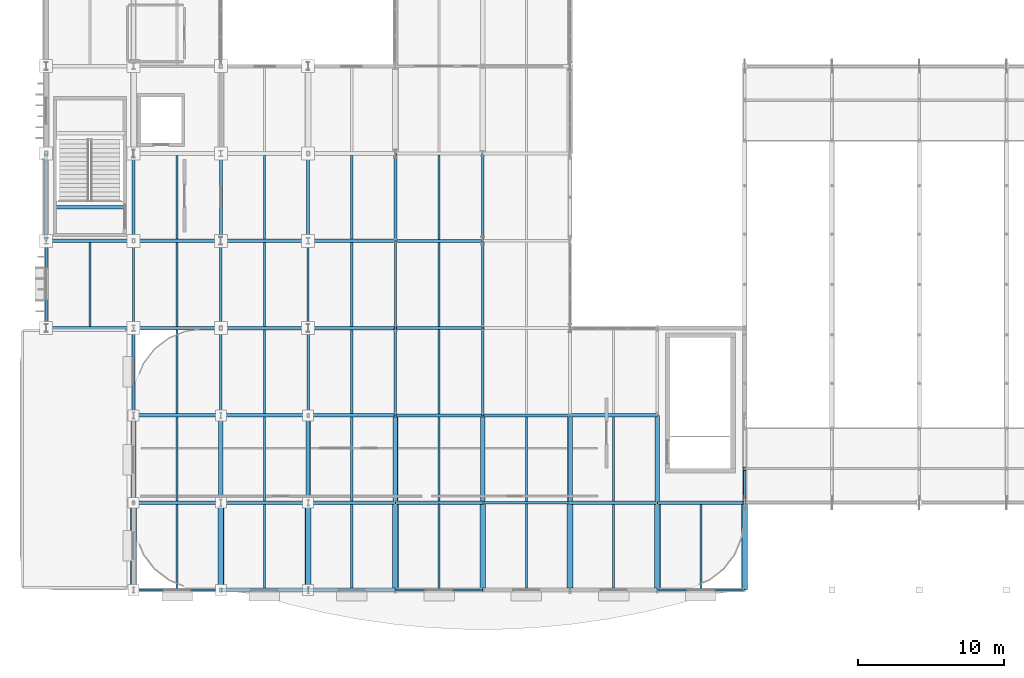
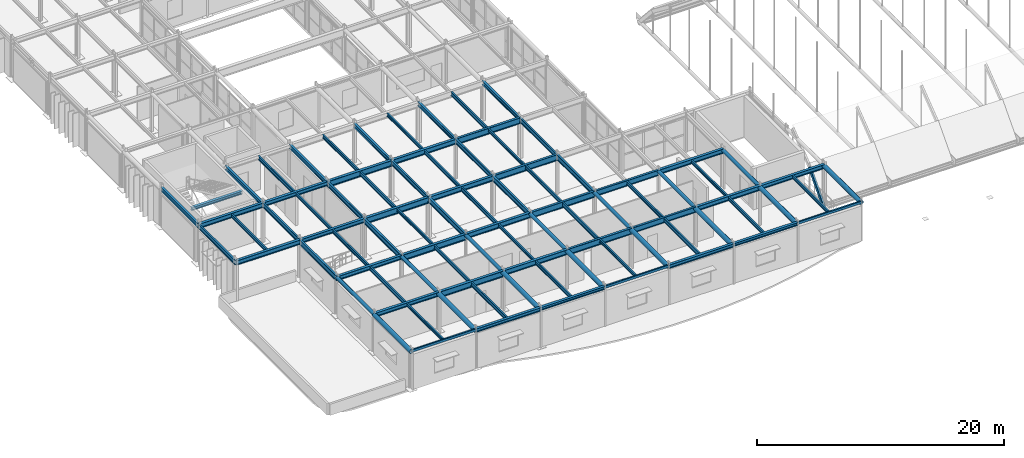
# One storey, part 26 of 116: 90 beams.
"""IFC4 building model written with IfcOpenShell, lengths in metres."""

from ifc_helpers import new_model, si_unit, direction, frame, origin, origin_2d, place, context, subcontext, project, spatial, hollow_rectangle, hollow_circle, i_section, extrude, material, material_profile, profile_set, type_object, element, save


model = new_model("IFC4")

# Units and contexts
model_context = context("Model", 3, precision=1e-05, world=origin(), true_north=direction((0.0, 1.0)))
body_context = subcontext(model_context, "Body", "Model", "MODEL_VIEW")
ifc_project = project(units=[si_unit("LENGTHUNIT", "METRE"), si_unit("AREAUNIT", "SQUARE_METRE"), si_unit("VOLUMEUNIT", "CUBIC_METRE"), si_unit("PLANEANGLEUNIT", "RADIAN"), si_unit("MASSUNIT", "GRAM", prefix="KILO")], contexts=[model_context])

# Site, building, storey
site_placement = place(None, origin())
site = spatial("IfcSite", under=ifc_project, at=site_placement, CompositionType="ELEMENT")
building_placement = place(site_placement, origin())
building = spatial("IfcBuilding", under=site, at=building_placement, Name="Varnakota Square Police Headquarters", CompositionType="ELEMENT")
storey_placement = place(building_placement, frame((0.0, 0.0, 9.300048828125)))
storey = spatial("IfcBuildingStorey", under=building, at=storey_placement, Name="L02", CompositionType="ELEMENT", Elevation=9.300048828125)

# Beams
ifc_material = material(Name="Steel IS 2062 Grade 350", Category="steel")
ifc_material_profile_1 = material_profile(ifc_material, hollow_circle(Radius=0.161865234375, WallThickness=0.0126953125, at=origin_2d()), Name="CHS 323.9x12.7")
ifc_profile_set_1 = profile_set([ifc_material_profile_1], Name="Steel IS 2062 Grade 350")
beam_type_1 = type_object("IfcBeamType", Name="BM-ARC-CHS324", PredefinedType="BEAM", material=ifc_profile_set_1)
for number, where, z_axis, x_axis, name in (
    (1, (12.0, 9.0, 3.738037109375), (0.0, 1.0, 0.0), (-1.0, 0.0, 0.0), "BMG-L02-2119"),
    (2, (18.0, 9.0, 3.738037109375), (0.0, 1.0, 0.0), (-1.0, 0.0, 0.0), "BMG-L02-2133"),
    (3, (24.0, 9.0, 3.738037109375), (0.0, 1.0, 0.0), (-1.0, 0.0, 0.0), "BMG-L02-2147"),
    (4, (30.0, 9.0, 3.738037109375), (0.0, 1.0, 0.0), (-1.0, 0.0, 0.0), "BMG-L02-2155"),
    (5, (36.0, 9.0, 3.738037109375), (0.0, 1.0, 0.0), (-1.0, 0.0, 0.0), "BMG-L02-2169"),
    (6, (42.0, 9.0, 3.738037109375), (0.0, 1.0, 0.0), (-1.0, 0.0, 0.0), "BMG-L02-2181"),
    (7, (48.0, 9.0, 3.738037109375), (0.0, 1.0, 0.0), (-1.0, 0.0, 0.0), "BMG-L02-2195"),
):
    element("IfcBeam", number, at=place(storey_placement, frame(where, z_axis=z_axis, x_axis=x_axis)), inside=storey, type_object=beam_type_1, Name=name, PredefinedType="BEAM", context=body_context, shape_type="SweptSolid", body=[
        extrude(hollow_circle(Radius=0.161865234375, WallThickness=0.0126953125, at=origin_2d()), origin(), (0.0, 0.0, 1.0), 6.0),
    ])
ifc_material_profile_2 = material_profile(ifc_material, hollow_circle(Radius=0.203125, WallThickness=0.01611328125, at=origin_2d()), Name="CHS 406.4x16.0")
ifc_profile_set_2 = profile_set([ifc_material_profile_2], Name="Steel IS 2062 Grade 350")
beam_type_2 = type_object("IfcBeamType", Name="BM-ARC-CHS406", PredefinedType="BEAM", material=ifc_profile_set_2)
for number, where, z_axis, x_axis, name in (
    (8, (12.0, 3.0, 3.69677734375), (0.0, 1.0, 0.0), (-1.0, 0.0, 0.0), "BMG-L02-2118"),
    (9, (18.0, 3.0, 3.69677734375), (0.0, 1.0, 0.0), (-1.0, 0.0, 0.0), "BMG-L02-2132"),
    (10, (24.0, 3.0, 3.69677734375), (0.0, 1.0, 0.0), (-1.0, 0.0, 0.0), "BMG-L02-2146"),
    (11, (30.0, 3.0, 3.69677734375), (0.0, 1.0, 0.0), (-1.0, 0.0, 0.0), "BMG-L02-2154"),
    (12, (36.0, 3.0, 3.69677734375), (0.0, 1.0, 0.0), (-1.0, 0.0, 0.0), "BMG-L02-2168"),
    (13, (42.0, 3.0, 3.69677734375), (0.0, 1.0, 0.0), (-1.0, 0.0, 0.0), "BMG-L02-2180"),
    (14, (48.0, 3.0, 3.69677734375), (0.0, 1.0, 0.0), (-1.0, 0.0, 0.0), "BMG-L02-2194"),
    (15, (54.0, 3.0, 3.69677734375), (0.0, 1.0, 0.0), (-1.0, 0.0, 0.0), "BMG-L02-2200"),
):
    element("IfcBeam", number, at=place(storey_placement, frame(where, z_axis=z_axis, x_axis=x_axis)), inside=storey, type_object=beam_type_2, Name=name, PredefinedType="BEAM", context=body_context, shape_type="SweptSolid", body=[
        extrude(hollow_circle(Radius=0.203125, WallThickness=0.01611328125, at=origin_2d()), origin(), (0.0, 0.0, 1.0), 6.0),
    ])
ifc_material_profile_3 = material_profile(ifc_material, hollow_rectangle(XDim=0.14990234375, YDim=0.25, WallThickness=0.010009765625, InnerFilletRadius=0.010009765625, OuterFilletRadius=0.02001953125, at=origin_2d()), Name="RHS 250x150x10")
ifc_profile_set_3 = profile_set([ifc_material_profile_3], Name="Steel IS 2062 Grade 350")
beam_type_3 = type_object("IfcBeamType", Name="BM-CBEAM-RHS250", PredefinedType="BEAM", material=ifc_profile_set_3)
for number, where, z_axis, x_axis, name in (
    (16, (12.0, 3.0, 3.77490234375), (1.0, 0.0, 0.0), (0.0, 1.0, 0.0), "BMG-L02-1903"),
    (17, (30.0, 3.0, 3.77490234375), (1.0, 0.0, 0.0), (0.0, 1.0, 0.0), "BMG-L02-1906"),
    (18, (48.0, 3.0, 3.77490234375), (1.0, 0.0, 0.0), (0.0, 1.0, 0.0), "BMG-L02-1909"),
):
    element("IfcBeam", number, at=place(storey_placement, frame(where, z_axis=z_axis, x_axis=x_axis)), inside=storey, type_object=beam_type_3, Name=name, PredefinedType="BEAM", context=body_context, shape_type="SweptSolid", body=[
        extrude(hollow_rectangle(XDim=0.14990234375, YDim=0.25, WallThickness=0.010009765625, InnerFilletRadius=0.010009765625, OuterFilletRadius=0.02001953125, at=origin_2d()), origin(), (0.0, 0.0, 1.0), 6.0),
    ])
ifc_material_profile_4 = material_profile(ifc_material, i_section(OverallWidth=0.25, OverallDepth=0.300048828125, WebThickness=0.009521484375, FlangeThickness=0.010498046875, FilletRadius=0.011962890625, at=origin_2d()), Name="ISHB 300")
ifc_profile_set_4 = profile_set([ifc_material_profile_4], Name="Steel IS 2062 Grade 350")
beam_type_4 = type_object("IfcBeamType", Name="BM-ISHB300", PredefinedType="BEAM", material=ifc_profile_set_4)
for number, where, z_axis, x_axis, name in (
    (19, (24.0, 3.0, 3.75), (1.0, 0.0, 0.0), (0.0, 1.0, 0.0), "BMG-L02-1905"),
    (20, (42.0, 3.0, 3.75), (1.0, 0.0, 0.0), (0.0, 1.0, 0.0), "BMG-L02-1908"),
):
    element("IfcBeam", number, at=place(storey_placement, frame(where, z_axis=z_axis, x_axis=x_axis)), inside=storey, type_object=beam_type_4, Name=name, PredefinedType="BEAM", context=body_context, shape_type="SweptSolid", body=[
        extrude(i_section(OverallWidth=0.25, OverallDepth=0.300048828125, WebThickness=0.009521484375, FlangeThickness=0.010498046875, FilletRadius=0.011962890625, at=origin_2d()), origin(), (0.0, 0.0, 1.0), 6.0),
    ])
beam_1_placement = place(storey_placement, frame((6.60009765625, 29.300048828125, 3.75), z_axis=(1.0, 0.0, 0.0), x_axis=(0.0, 1.0, 0.0)))
element("IfcBeam", 21, at=beam_1_placement, inside=storey, type_object=beam_type_4, Name="Stair landing support beam BM-LND-0052", PredefinedType="BEAM", context=body_context, shape_type="SweptSolid", body=[
    extrude(i_section(OverallWidth=0.25, OverallDepth=0.300048828125, WebThickness=0.009521484375, FlangeThickness=0.010498046875, FilletRadius=0.011962890625, at=origin_2d()), origin(), (0.0, 0.0, 1.0), 4.7998046875),
])
ifc_material_profile_5 = material_profile(ifc_material, i_section(OverallWidth=0.25, OverallDepth=0.35009765625, WebThickness=0.010009765625, FlangeThickness=0.01171875, FilletRadius=0.011962890625, at=origin_2d()), Name="ISHB 350")
ifc_profile_set_5 = profile_set([ifc_material_profile_5], Name="Steel IS 2062 Grade 350")
beam_type_5 = type_object("IfcBeamType", Name="BM-ISHB350", PredefinedType="BEAM", material=ifc_profile_set_5)
for number, where, z_axis, x_axis, name in (
    (22, (18.0, 3.0, 3.724853515625), (1.0, 0.0, 0.0), (0.0, 1.0, 0.0), "BMG-L02-1904"),
    (23, (36.0, 3.0, 3.724853515625), (1.0, 0.0, 0.0), (0.0, 1.0, 0.0), "BMG-L02-1907"),
):
    element("IfcBeam", number, at=place(storey_placement, frame(where, z_axis=z_axis, x_axis=x_axis)), inside=storey, type_object=beam_type_5, Name=name, PredefinedType="BEAM", context=body_context, shape_type="SweptSolid", body=[
        extrude(i_section(OverallWidth=0.25, OverallDepth=0.35009765625, WebThickness=0.010009765625, FlangeThickness=0.01171875, FilletRadius=0.011962890625, at=origin_2d()), origin(), (0.0, 0.0, 1.0), 6.0),
    ])
ifc_material_profile_6 = material_profile(ifc_material, i_section(OverallWidth=0.25, OverallDepth=0.39990234375, WebThickness=0.010498046875, FlangeThickness=0.0126953125, FilletRadius=0.013916015625, at=origin_2d()), Name="ISHB 400")
ifc_profile_set_6 = profile_set([ifc_material_profile_6], Name="Steel IS 2062 Grade 350")
beam_type_6 = type_object("IfcBeamType", Name="BM-ISHB400", PredefinedType="BEAM", material=ifc_profile_set_6)
for number, where, z_axis, x_axis, name in (
    (24, (12.0, 9.0, 3.699951171875), (1.0, 0.0, 0.0), (0.0, 1.0, 0.0), "BMG-L02-1910"),
    (25, (48.0, 9.0, 3.699951171875), (1.0, 0.0, 0.0), (0.0, 1.0, 0.0), "BMG-L02-1916"),
    (26, (12.0, 15.0, 3.699951171875), (1.0, 0.0, 0.0), (0.0, 1.0, 0.0), "BMG-L02-1925"),
    (27, (12.0, 21.0, 3.699951171875), (1.0, 0.0, 0.0), (0.0, 1.0, 0.0), "BMG-L02-1942"),
    (28, (12.0, 27.0, 3.699951171875), (1.0, 0.0, 0.0), (0.0, 1.0, 0.0), "BMG-L02-1954"),
):
    element("IfcBeam", number, at=place(storey_placement, frame(where, z_axis=z_axis, x_axis=x_axis)), inside=storey, type_object=beam_type_6, Name=name, PredefinedType="BEAM", context=body_context, shape_type="SweptSolid", body=[
        extrude(i_section(OverallWidth=0.25, OverallDepth=0.39990234375, WebThickness=0.010498046875, FlangeThickness=0.0126953125, FilletRadius=0.013916015625, at=origin_2d()), origin(), (0.0, 0.0, 1.0), 6.0),
    ])
ifc_material_profile_7 = material_profile(ifc_material, i_section(OverallWidth=0.25, OverallDepth=0.449951171875, WebThickness=0.01123046875, FlangeThickness=0.013671875, FilletRadius=0.014892578125, at=origin_2d()), Name="ISHB 450")
ifc_profile_set_7 = profile_set([ifc_material_profile_7], Name="Steel IS 2062 Grade 350")
beam_type_7 = type_object("IfcBeamType", Name="BM-ISHB450", PredefinedType="BEAM", material=ifc_profile_set_7)
for number, where, z_axis, x_axis, name in (
    (29, (42.0, 9.0, 3.675048828125), (1.0, 0.0, 0.0), (0.0, 1.0, 0.0), "BMG-L02-1915"),
    (30, (42.0, 15.0, 3.675048828125), (1.0, 0.0, 0.0), (0.0, 1.0, 0.0), "BMG-L02-1930"),
    (31, (6.0, 21.0, 3.675048828125), (1.0, 0.0, 0.0), (0.0, 1.0, 0.0), "BMG-L02-1941"),
    (32, (6.0, 27.0, 3.675048828125), (1.0, 0.0, 0.0), (0.0, 1.0, 0.0), "BMG-L02-1953"),
):
    element("IfcBeam", number, at=place(storey_placement, frame(where, z_axis=z_axis, x_axis=x_axis)), inside=storey, type_object=beam_type_7, Name=name, PredefinedType="BEAM", context=body_context, shape_type="SweptSolid", body=[
        extrude(i_section(OverallWidth=0.25, OverallDepth=0.449951171875, WebThickness=0.01123046875, FlangeThickness=0.013671875, FilletRadius=0.014892578125, at=origin_2d()), origin(), (0.0, 0.0, 1.0), 6.0),
    ])
ifc_material_profile_8 = material_profile(ifc_material, i_section(OverallWidth=0.139892578125, OverallDepth=0.300048828125, WebThickness=0.0078125, FlangeThickness=0.01318359375, FilletRadius=0.013916015625, at=origin_2d()), Name="ISMB 300")
ifc_profile_set_8 = profile_set([ifc_material_profile_8], Name="Steel IS 2062 Grade 350")
beam_type_8 = type_object("IfcBeamType", Name="BM-ISMB300", PredefinedType="JOIST", material=ifc_profile_set_8)
beam_2_placement = place(storey_placement, frame((15.0, 3.072998046875, 3.75), z_axis=(0.0, 1.0, 0.0), x_axis=(-1.0, 0.0, 0.0)))
element("IfcBeam", 33, at=beam_2_placement, inside=storey, type_object=beam_type_8, Name="BMG-L02-2319", PredefinedType="JOIST", context=body_context, shape_type="SweptSolid", body=[
    extrude(i_section(OverallWidth=0.139892578125, OverallDepth=0.300048828125, WebThickness=0.0078125, FlangeThickness=0.01318359375, FilletRadius=0.013916015625, at=origin_2d()), origin(), (0.0, 0.0, 1.0), 5.803955078125),
])
for number, where, z_axis, x_axis, name in (
    (34, (15.0, 21.123046875, 3.75), (0.0, 1.0, 0.0), (-1.0, 0.0, 0.0), "BMG-L02-2322"),
    (35, (21.0, 15.123046875, 3.75), (0.0, 1.0, 0.0), (-1.0, 0.0, 0.0), "BMG-L02-2332"),
    (36, (27.0, 9.123046875, 3.75), (0.0, 1.0, 0.0), (-1.0, 0.0, 0.0), "BMG-L02-2338"),
    (37, (27.0, 27.123046875, 3.75), (0.0, 1.0, 0.0), (-1.0, 0.0, 0.0), "BMG-L02-2341"),
):
    element("IfcBeam", number, at=place(storey_placement, frame(where, z_axis=z_axis, x_axis=x_axis)), inside=storey, type_object=beam_type_8, Name=name, PredefinedType="JOIST", context=body_context, shape_type="SweptSolid", body=[
        extrude(i_section(OverallWidth=0.139892578125, OverallDepth=0.300048828125, WebThickness=0.0078125, FlangeThickness=0.01318359375, FilletRadius=0.013916015625, at=origin_2d()), origin(), (0.0, 0.0, 1.0), 5.75390625),
    ])
beam_3_placement = place(storey_placement, frame((33.0, 3.072998046875, 3.75), z_axis=(0.0, 1.0, 0.0), x_axis=(-1.0, 0.0, 0.0)))
element("IfcBeam", 38, at=beam_3_placement, inside=storey, type_object=beam_type_8, Name="BMG-L02-2345", PredefinedType="JOIST", context=body_context, shape_type="SweptSolid", body=[
    extrude(i_section(OverallWidth=0.139892578125, OverallDepth=0.300048828125, WebThickness=0.0078125, FlangeThickness=0.01318359375, FilletRadius=0.013916015625, at=origin_2d()), origin(), (0.0, 0.0, 1.0), 5.823974609375),
])
beam_4_placement = place(storey_placement, frame((33.0, 21.10302734375, 3.75), z_axis=(0.0, 1.0, 0.0), x_axis=(-1.0, 0.0, 0.0)))
element("IfcBeam", 39, at=beam_4_placement, inside=storey, type_object=beam_type_8, Name="BMG-L02-2348", PredefinedType="JOIST", context=body_context, shape_type="SweptSolid", body=[
    extrude(i_section(OverallWidth=0.139892578125, OverallDepth=0.300048828125, WebThickness=0.0078125, FlangeThickness=0.01318359375, FilletRadius=0.013916015625, at=origin_2d()), origin(), (0.0, 0.0, 1.0), 5.7939453125),
])
beam_5_placement = place(storey_placement, frame((45.0, 9.123046875, 3.75), z_axis=(0.0, 1.0, 0.0), x_axis=(-1.0, 0.0, 0.0)))
element("IfcBeam", 40, at=beam_5_placement, inside=storey, type_object=beam_type_8, Name="BMG-L02-2369", PredefinedType="JOIST", context=body_context, shape_type="SweptSolid", body=[
    extrude(i_section(OverallWidth=0.139892578125, OverallDepth=0.300048828125, WebThickness=0.0078125, FlangeThickness=0.01318359375, FilletRadius=0.013916015625, at=origin_2d()), origin(), (0.0, 0.0, 1.0), 5.75390625),
])
beam_6_placement = place(storey_placement, frame((51.0, 3.072998046875, 3.75), z_axis=(0.0, 1.0, 0.0), x_axis=(-1.0, 0.0, 0.0)))
element("IfcBeam", 41, at=beam_6_placement, inside=storey, type_object=beam_type_8, Name="BMG-L02-2372", PredefinedType="JOIST", context=body_context, shape_type="SweptSolid", body=[
    extrude(i_section(OverallWidth=0.139892578125, OverallDepth=0.300048828125, WebThickness=0.0078125, FlangeThickness=0.01318359375, FilletRadius=0.013916015625, at=origin_2d()), origin(), (0.0, 0.0, 1.0), 5.803955078125),
])
ifc_material_profile_9 = material_profile(ifc_material, i_section(OverallWidth=0.139892578125, OverallDepth=0.35009765625, WebThickness=0.008056640625, FlangeThickness=0.01416015625, FilletRadius=0.013916015625, at=origin_2d()), Name="ISMB 350")
ifc_profile_set_9 = profile_set([ifc_material_profile_9], Name="Steel IS 2062 Grade 350")
beam_type_9 = type_object("IfcBeamType", Name="BM-ISMB350", PredefinedType="JOIST", material=ifc_profile_set_9)
for number, where, z_axis, x_axis, name in (
    (42, (9.0, 21.123046875, 3.724853515625), (0.0, 1.0, 0.0), (-1.0, 0.0, 0.0), "BMG-L02-2312"),
    (43, (15.0, 15.123046875, 3.724853515625), (0.0, 1.0, 0.0), (-1.0, 0.0, 0.0), "BMG-L02-2321"),
    (44, (21.0, 9.123046875, 3.724853515625), (0.0, 1.0, 0.0), (-1.0, 0.0, 0.0), "BMG-L02-2331"),
    (45, (21.0, 27.123046875, 3.724853515625), (0.0, 1.0, 0.0), (-1.0, 0.0, 0.0), "BMG-L02-2334"),
    (46, (27.0, 3.123046875, 3.724853515625), (0.0, 1.0, 0.0), (-1.0, 0.0, 0.0), "BMG-L02-2337"),
    (47, (27.0, 21.123046875, 3.724853515625), (0.0, 1.0, 0.0), (-1.0, 0.0, 0.0), "BMG-L02-2340"),
):
    element("IfcBeam", number, at=place(storey_placement, frame(where, z_axis=z_axis, x_axis=x_axis)), inside=storey, type_object=beam_type_9, Name=name, PredefinedType="JOIST", context=body_context, shape_type="SweptSolid", body=[
        extrude(i_section(OverallWidth=0.139892578125, OverallDepth=0.35009765625, WebThickness=0.008056640625, FlangeThickness=0.01416015625, FilletRadius=0.013916015625, at=origin_2d()), origin(), (0.0, 0.0, 1.0), 5.75390625),
    ])
beam_7_placement = place(storey_placement, frame((33.0, 15.10302734375, 3.724853515625), z_axis=(0.0, 1.0, 0.0), x_axis=(-1.0, 0.0, 0.0)))
element("IfcBeam", 48, at=beam_7_placement, inside=storey, type_object=beam_type_9, Name="BMG-L02-2347", PredefinedType="JOIST", context=body_context, shape_type="SweptSolid", body=[
    extrude(i_section(OverallWidth=0.139892578125, OverallDepth=0.35009765625, WebThickness=0.008056640625, FlangeThickness=0.01416015625, FilletRadius=0.013916015625, at=origin_2d()), origin(), (0.0, 0.0, 1.0), 5.7939453125),
])
beam_8_placement = place(storey_placement, frame((39.0, 9.093017578125, 3.724853515625), z_axis=(0.0, 1.0, 0.0), x_axis=(-1.0, 0.0, 0.0)))
element("IfcBeam", 49, at=beam_8_placement, inside=storey, type_object=beam_type_9, Name="BMG-L02-2357", PredefinedType="JOIST", context=body_context, shape_type="SweptSolid", body=[
    extrude(i_section(OverallWidth=0.139892578125, OverallDepth=0.35009765625, WebThickness=0.008056640625, FlangeThickness=0.01416015625, FilletRadius=0.013916015625, at=origin_2d()), origin(), (0.0, 0.0, 1.0), 5.81396484375),
])
beam_9_placement = place(storey_placement, frame((45.0, 3.123046875, 3.724853515625), z_axis=(0.0, 1.0, 0.0), x_axis=(-1.0, 0.0, 0.0)))
element("IfcBeam", 50, at=beam_9_placement, inside=storey, type_object=beam_type_9, Name="BMG-L02-2368", PredefinedType="JOIST", context=body_context, shape_type="SweptSolid", body=[
    extrude(i_section(OverallWidth=0.139892578125, OverallDepth=0.35009765625, WebThickness=0.008056640625, FlangeThickness=0.01416015625, FilletRadius=0.013916015625, at=origin_2d()), origin(), (0.0, 0.0, 1.0), 5.75390625),
])
ifc_material_profile_10 = material_profile(ifc_material, i_section(OverallWidth=0.139892578125, OverallDepth=0.39990234375, WebThickness=0.0087890625, FlangeThickness=0.01611328125, FilletRadius=0.013916015625, at=origin_2d()), Name="ISMB 400")
ifc_profile_set_10 = profile_set([ifc_material_profile_10], Name="Steel IS 2062 Grade 350")
beam_type_10 = type_object("IfcBeamType", Name="BM-ISMB400", PredefinedType="JOIST", material=ifc_profile_set_10)
for number, where, z_axis, x_axis, name in (
    (51, (15.0, 9.123046875, 3.699951171875), (0.0, 1.0, 0.0), (-1.0, 0.0, 0.0), "BMG-L02-2320"),
    (52, (15.0, 27.123046875, 3.699951171875), (0.0, 1.0, 0.0), (-1.0, 0.0, 0.0), "BMG-L02-2323"),
    (53, (21.0, 3.123046875, 3.699951171875), (0.0, 1.0, 0.0), (-1.0, 0.0, 0.0), "BMG-L02-2330"),
    (54, (21.0, 21.123046875, 3.699951171875), (0.0, 1.0, 0.0), (-1.0, 0.0, 0.0), "BMG-L02-2333"),
    (55, (27.0, 15.123046875, 3.699951171875), (0.0, 1.0, 0.0), (-1.0, 0.0, 0.0), "BMG-L02-2339"),
):
    element("IfcBeam", number, at=place(storey_placement, frame(where, z_axis=z_axis, x_axis=x_axis)), inside=storey, type_object=beam_type_10, Name=name, PredefinedType="JOIST", context=body_context, shape_type="SweptSolid", body=[
        extrude(i_section(OverallWidth=0.139892578125, OverallDepth=0.39990234375, WebThickness=0.0087890625, FlangeThickness=0.01611328125, FilletRadius=0.013916015625, at=origin_2d()), origin(), (0.0, 0.0, 1.0), 5.75390625),
    ])
for number, where, z_axis, x_axis, name in (
    (56, (33.0, 9.10302734375, 3.699951171875), (0.0, 1.0, 0.0), (-1.0, 0.0, 0.0), "BMG-L02-2346"),
    (57, (33.0, 27.10302734375, 3.699951171875), (0.0, 1.0, 0.0), (-1.0, 0.0, 0.0), "BMG-L02-2349"),
):
    element("IfcBeam", number, at=place(storey_placement, frame(where, z_axis=z_axis, x_axis=x_axis)), inside=storey, type_object=beam_type_10, Name=name, PredefinedType="JOIST", context=body_context, shape_type="SweptSolid", body=[
        extrude(i_section(OverallWidth=0.139892578125, OverallDepth=0.39990234375, WebThickness=0.0087890625, FlangeThickness=0.01611328125, FilletRadius=0.013916015625, at=origin_2d()), origin(), (0.0, 0.0, 1.0), 5.7939453125),
    ])
beam_10_placement = place(storey_placement, frame((39.0, 3.123046875, 3.699951171875), z_axis=(0.0, 1.0, 0.0), x_axis=(-1.0, 0.0, 0.0)))
element("IfcBeam", 58, at=beam_10_placement, inside=storey, type_object=beam_type_10, Name="BMG-L02-2356", PredefinedType="JOIST", context=body_context, shape_type="SweptSolid", body=[
    extrude(i_section(OverallWidth=0.139892578125, OverallDepth=0.39990234375, WebThickness=0.0087890625, FlangeThickness=0.01611328125, FilletRadius=0.013916015625, at=origin_2d()), origin(), (0.0, 0.0, 1.0), 5.783935546875),
])
ifc_material_profile_11 = material_profile(ifc_material, i_section(OverallWidth=0.14990234375, OverallDepth=0.449951171875, WebThickness=0.009521484375, FlangeThickness=0.017333984375, FilletRadius=0.014892578125, at=origin_2d()), Name="ISMB 450")
ifc_profile_set_11 = profile_set([ifc_material_profile_11], Name="Steel IS 2062 Grade 350")
beam_type_11 = type_object("IfcBeamType", Name="BM-ISMB450", PredefinedType="BEAM", material=ifc_profile_set_11)
for number, where, z_axis, x_axis, name in (
    (59, (6.0, 21.0, 3.675048828125), (0.0, 1.0, 0.0), (-1.0, 0.0, 0.0), "BMG-L02-2104"),
    (60, (12.0, 21.0, 3.675048828125), (0.0, 1.0, 0.0), (-1.0, 0.0, 0.0), "BMG-L02-2121"),
    (61, (18.0, 21.0, 3.675048828125), (0.0, 1.0, 0.0), (-1.0, 0.0, 0.0), "BMG-L02-2135"),
    (62, (24.0, 21.0, 3.675048828125), (0.0, 1.0, 0.0), (-1.0, 0.0, 0.0), "BMG-L02-2149"),
    (63, (30.0, 21.0, 3.675048828125), (0.0, 1.0, 0.0), (-1.0, 0.0, 0.0), "BMG-L02-2157"),
    (64, (36.0, 21.0, 3.675048828125), (0.0, 1.0, 0.0), (-1.0, 0.0, 0.0), "BMG-L02-2171"),
):
    element("IfcBeam", number, at=place(storey_placement, frame(where, z_axis=z_axis, x_axis=x_axis)), inside=storey, type_object=beam_type_11, Name=name, PredefinedType="BEAM", context=body_context, shape_type="SweptSolid", body=[
        extrude(i_section(OverallWidth=0.14990234375, OverallDepth=0.449951171875, WebThickness=0.009521484375, FlangeThickness=0.017333984375, FilletRadius=0.014892578125, at=origin_2d()), origin(), (0.0, 0.0, 1.0), 6.0),
    ])
ifc_material_profile_12 = material_profile(ifc_material, i_section(OverallWidth=0.179931640625, OverallDepth=0.5, WebThickness=0.01025390625, FlangeThickness=0.01708984375, FilletRadius=0.01708984375, at=origin_2d()), Name="ISMB 500")
ifc_profile_set_12 = profile_set([ifc_material_profile_12], Name="Steel IS 2062 Grade 350")
beam_type_12 = type_object("IfcBeamType", Name="BM-ISMB500", PredefinedType="BEAM", material=ifc_profile_set_12)
for number, where, z_axis, x_axis, name in (
    (65, (12.0, 15.0, 3.64990234375), (0.0, 1.0, 0.0), (-1.0, 0.0, 0.0), "BMG-L02-2120"),
    (66, (18.0, 15.0, 3.64990234375), (0.0, 1.0, 0.0), (-1.0, 0.0, 0.0), "BMG-L02-2134"),
    (67, (24.0, 15.0, 3.64990234375), (0.0, 1.0, 0.0), (-1.0, 0.0, 0.0), "BMG-L02-2148"),
    (68, (30.0, 15.0, 3.64990234375), (0.0, 1.0, 0.0), (-1.0, 0.0, 0.0), "BMG-L02-2156"),
    (69, (36.0, 15.0, 3.64990234375), (0.0, 1.0, 0.0), (-1.0, 0.0, 0.0), "BMG-L02-2170"),
):
    element("IfcBeam", number, at=place(storey_placement, frame(where, z_axis=z_axis, x_axis=x_axis)), inside=storey, type_object=beam_type_12, Name=name, PredefinedType="BEAM", context=body_context, shape_type="SweptSolid", body=[
        extrude(i_section(OverallWidth=0.179931640625, OverallDepth=0.5, WebThickness=0.01025390625, FlangeThickness=0.01708984375, FilletRadius=0.01708984375, at=origin_2d()), origin(), (0.0, 0.0, 1.0), 6.0),
    ])
ifc_material_profile_13 = material_profile(ifc_material, i_section(OverallWidth=0.18994140625, OverallDepth=0.550048828125, WebThickness=0.01123046875, FlangeThickness=0.019287109375, FilletRadius=0.01806640625, at=origin_2d()), Name="ISMB 550")
ifc_profile_set_13 = profile_set([ifc_material_profile_13], Name="Steel IS 2062 Grade 350")
beam_type_13 = type_object("IfcBeamType", Name="BM-ISMB550", PredefinedType="BEAM", material=ifc_profile_set_13)
for number, where, z_axis, x_axis, name in (
    (70, (36.0, 9.0, 3.625), (1.0, 0.0, 0.0), (0.0, 1.0, 0.0), "BMG-L02-1914"),
    (71, (36.0, 15.0, 3.625), (1.0, 0.0, 0.0), (0.0, 1.0, 0.0), "BMG-L02-1929"),
):
    element("IfcBeam", number, at=place(storey_placement, frame(where, z_axis=z_axis, x_axis=x_axis)), inside=storey, type_object=beam_type_13, Name=name, PredefinedType="BEAM", context=body_context, shape_type="SweptSolid", body=[
        extrude(i_section(OverallWidth=0.18994140625, OverallDepth=0.550048828125, WebThickness=0.01123046875, FlangeThickness=0.019287109375, FilletRadius=0.01806640625, at=origin_2d()), origin(), (0.0, 0.0, 1.0), 6.0),
    ])
ifc_material_profile_14 = material_profile(ifc_material, i_section(OverallWidth=0.2099609375, OverallDepth=0.60009765625, WebThickness=0.011962890625, FlangeThickness=0.020751953125, FilletRadius=0.02001953125, at=origin_2d()), Name="ISMB 600")
ifc_profile_set_14 = profile_set([ifc_material_profile_14], Name="Steel IS 2062 Grade 350")
beam_type_14 = type_object("IfcBeamType", Name="BM-ISMB600", PredefinedType="BEAM", material=ifc_profile_set_14)
for number, where, z_axis, x_axis, name in (
    (72, (30.0, 9.0, 3.599853515625), (1.0, 0.0, 0.0), (0.0, 1.0, 0.0), "BMG-L02-1913"),
    (73, (30.0, 15.0, 3.599853515625), (1.0, 0.0, 0.0), (0.0, 1.0, 0.0), "BMG-L02-1928"),
    (74, (30.0, 21.0, 3.599853515625), (1.0, 0.0, 0.0), (0.0, 1.0, 0.0), "BMG-L02-1945"),
    (75, (30.0, 27.0, 3.599853515625), (1.0, 0.0, 0.0), (0.0, 1.0, 0.0), "BMG-L02-1957"),
):
    element("IfcBeam", number, at=place(storey_placement, frame(where, z_axis=z_axis, x_axis=x_axis)), inside=storey, type_object=beam_type_14, Name=name, PredefinedType="BEAM", context=body_context, shape_type="SweptSolid", body=[
        extrude(i_section(OverallWidth=0.2099609375, OverallDepth=0.60009765625, WebThickness=0.011962890625, FlangeThickness=0.020751953125, FilletRadius=0.02001953125, at=origin_2d()), origin(), (0.0, 0.0, 1.0), 6.0),
    ])
ifc_material_profile_15 = material_profile(ifc_material, i_section(OverallWidth=0.199951171875, OverallDepth=0.39990234375, WebThickness=0.008544921875, FlangeThickness=0.012939453125, FilletRadius=0.012939453125, at=origin_2d()), Name="ISWB 400")
ifc_profile_set_15 = profile_set([ifc_material_profile_15], Name="Steel IS 2062 Grade 350")
beam_type_15 = type_object("IfcBeamType", Name="BM-ISWB400", PredefinedType="BEAM", material=ifc_profile_set_15)
for number, where, z_axis, x_axis, name in (
    (76, (6.0, 27.0, 3.699951171875), (0.0, 1.0, 0.0), (-1.0, 0.0, 0.0), "BMG-L02-2105"),
    (77, (12.0, 27.0, 3.699951171875), (0.0, 1.0, 0.0), (-1.0, 0.0, 0.0), "BMG-L02-2122"),
    (78, (18.0, 27.0, 3.699951171875), (0.0, 1.0, 0.0), (-1.0, 0.0, 0.0), "BMG-L02-2136"),
    (79, (24.0, 27.0, 3.699951171875), (0.0, 1.0, 0.0), (-1.0, 0.0, 0.0), "BMG-L02-2150"),
    (80, (30.0, 27.0, 3.699951171875), (0.0, 1.0, 0.0), (-1.0, 0.0, 0.0), "BMG-L02-2158"),
    (81, (36.0, 27.0, 3.699951171875), (0.0, 1.0, 0.0), (-1.0, 0.0, 0.0), "BMG-L02-2172"),
):
    element("IfcBeam", number, at=place(storey_placement, frame(where, z_axis=z_axis, x_axis=x_axis)), inside=storey, type_object=beam_type_15, Name=name, PredefinedType="BEAM", context=body_context, shape_type="SweptSolid", body=[
        extrude(i_section(OverallWidth=0.199951171875, OverallDepth=0.39990234375, WebThickness=0.008544921875, FlangeThickness=0.012939453125, FilletRadius=0.012939453125, at=origin_2d()), origin(), (0.0, 0.0, 1.0), 6.0),
    ])
ifc_material_profile_16 = material_profile(ifc_material, i_section(OverallWidth=0.25, OverallDepth=0.5, WebThickness=0.010009765625, FlangeThickness=0.0146484375, FilletRadius=0.014892578125, at=origin_2d()), Name="ISWB 500")
ifc_profile_set_16 = profile_set([ifc_material_profile_16], Name="Steel IS 2062 Grade 350")
beam_type_16 = type_object("IfcBeamType", Name="BM-ISWB500", PredefinedType="BEAM", material=ifc_profile_set_16)
for number, where, z_axis, x_axis, name in (
    (82, (24.0, 9.0, 3.64990234375), (1.0, 0.0, 0.0), (0.0, 1.0, 0.0), "BMG-L02-1912"),
    (83, (24.0, 15.0, 3.64990234375), (1.0, 0.0, 0.0), (0.0, 1.0, 0.0), "BMG-L02-1927"),
    (84, (24.0, 21.0, 3.64990234375), (1.0, 0.0, 0.0), (0.0, 1.0, 0.0), "BMG-L02-1944"),
    (85, (24.0, 27.0, 3.64990234375), (1.0, 0.0, 0.0), (0.0, 1.0, 0.0), "BMG-L02-1956"),
):
    element("IfcBeam", number, at=place(storey_placement, frame(where, z_axis=z_axis, x_axis=x_axis)), inside=storey, type_object=beam_type_16, Name=name, PredefinedType="BEAM", context=body_context, shape_type="SweptSolid", body=[
        extrude(i_section(OverallWidth=0.25, OverallDepth=0.5, WebThickness=0.010009765625, FlangeThickness=0.0146484375, FilletRadius=0.014892578125, at=origin_2d()), origin(), (0.0, 0.0, 1.0), 6.0),
    ])
ifc_material_profile_17 = material_profile(ifc_material, i_section(OverallWidth=0.25, OverallDepth=0.60009765625, WebThickness=0.01171875, FlangeThickness=0.023681640625, FilletRadius=0.01708984375, at=origin_2d()), Name="ISWB 600")
ifc_profile_set_17 = profile_set([ifc_material_profile_17], Name="Steel IS 2062 Grade 350")
beam_type_17 = type_object("IfcBeamType", Name="BM-ISWB600", PredefinedType="BEAM", material=ifc_profile_set_17)
for number, where, z_axis, x_axis, name in (
    (86, (18.0, 9.0, 3.599853515625), (1.0, 0.0, 0.0), (0.0, 1.0, 0.0), "BMG-L02-1911"),
    (87, (18.0, 15.0, 3.599853515625), (1.0, 0.0, 0.0), (0.0, 1.0, 0.0), "BMG-L02-1926"),
    (88, (18.0, 21.0, 3.599853515625), (1.0, 0.0, 0.0), (0.0, 1.0, 0.0), "BMG-L02-1943"),
    (89, (18.0, 27.0, 3.599853515625), (1.0, 0.0, 0.0), (0.0, 1.0, 0.0), "BMG-L02-1955"),
):
    element("IfcBeam", number, at=place(storey_placement, frame(where, z_axis=z_axis, x_axis=x_axis)), inside=storey, type_object=beam_type_17, Name=name, PredefinedType="BEAM", context=body_context, shape_type="SweptSolid", body=[
        extrude(i_section(OverallWidth=0.25, OverallDepth=0.60009765625, WebThickness=0.01171875, FlangeThickness=0.023681640625, FilletRadius=0.01708984375, at=origin_2d()), origin(), (0.0, 0.0, 1.0), 6.0),
    ])
ifc_material_profile_18 = material_profile(ifc_material, hollow_rectangle(XDim=0.199951171875, YDim=0.35009765625, WallThickness=0.011962890625, InnerFilletRadius=0.011962890625, OuterFilletRadius=0.02392578125, at=origin_2d()), Name="RHS 350x200x12")
ifc_profile_set_18 = profile_set([ifc_material_profile_18], Name="Steel IS 2062 Grade 350")
beam_type_18 = type_object("IfcBeamType", Name="BM-VR-RHS350", PredefinedType="BEAM", material=ifc_profile_set_18)
beam_11_placement = place(storey_placement, frame((54.0, 9.0, -0.3916015625), z_axis=(0.0, 0.671520631111, 0.740985858159), x_axis=(-1.0, 0.0, 0.0)))
element("IfcBeam", 90, at=beam_11_placement, inside=storey, type_object=beam_type_18, Name="Barrel vault arch rib chord VR-V1-R01-S01", PredefinedType="BEAM", context=body_context, shape_type="SweptSolid", body=[
    extrude(hollow_rectangle(XDim=0.199951171875, YDim=0.35009765625, WallThickness=0.011962890625, InnerFilletRadius=0.011962890625, OuterFilletRadius=0.02392578125, at=origin_2d()), origin(), (0.0, 0.0, 1.0), 3.472412109375),
])

save(model, "model.ifc")
